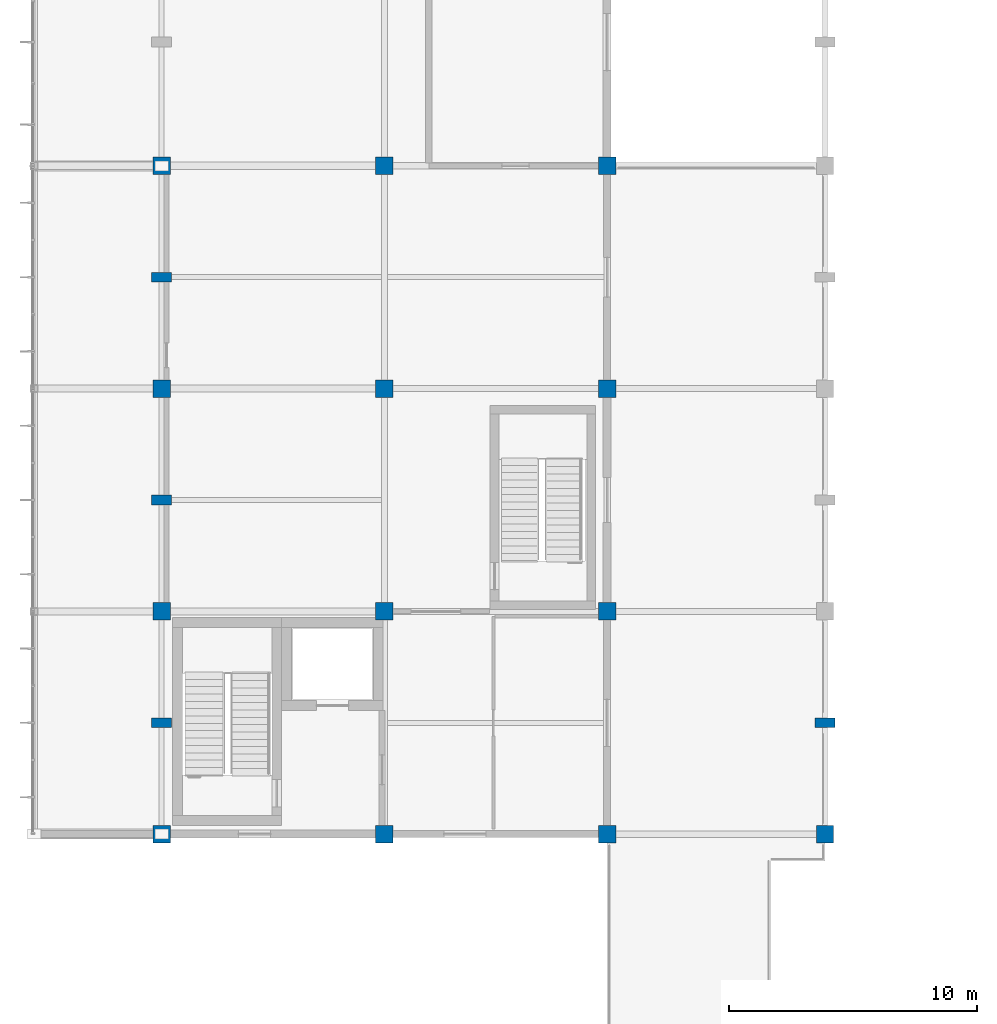
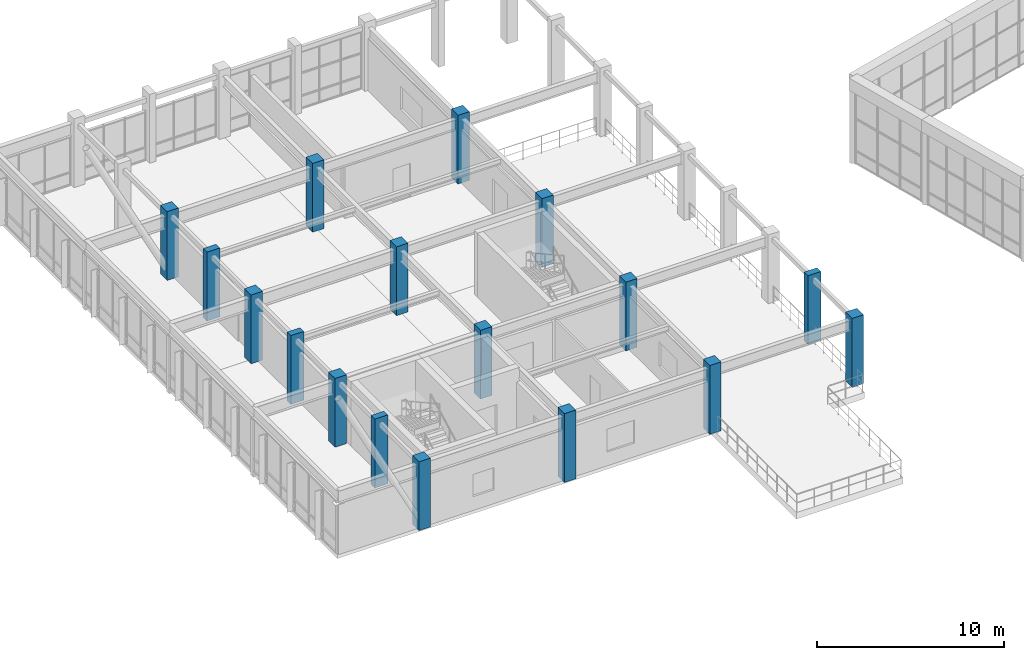
# One storey, part 3 of 55: 17 columns.
"""IFC4 building model written with IfcOpenShell, lengths in metres."""

from ifc_helpers import new_model, si_unit, direction, frame, origin, origin_2d, place, context, subcontext, project, spatial, rectangle, extrude, material, material_profile, profile_set, type_object, element, save


model = new_model("IFC4")

# Units and contexts
model_context = context("Model", 3, precision=1e-05, world=origin(), true_north=direction((0.0, 1.0)))
body_context = subcontext(model_context, "Body", "Model", "MODEL_VIEW")
ifc_project = project(units=[si_unit("LENGTHUNIT", "METRE"), si_unit("AREAUNIT", "SQUARE_METRE"), si_unit("VOLUMEUNIT", "CUBIC_METRE"), si_unit("PLANEANGLEUNIT", "RADIAN"), si_unit("MASSUNIT", "GRAM", prefix="KILO")], contexts=[model_context])

# Site, building, storey
site_placement = place(None, origin())
site = spatial("IfcSite", under=ifc_project, at=site_placement, CompositionType="ELEMENT")
building_placement = place(site_placement, origin())
building = spatial("IfcBuilding", under=site, at=building_placement, Name="Ventoquebrada Cableway Terminal", CompositionType="ELEMENT")
storey_placement = place(building_placement, frame((0.0, 0.0, 14.39990234375)))
storey = spatial("IfcBuildingStorey", under=building, at=storey_placement, Name="L03", CompositionType="ELEMENT", Elevation=14.39990234375)

# Columns
ifc_material = material(Name="Concrete C40/50", Category="concrete")
ifc_material_profile_1 = material_profile(ifc_material, rectangle(XDim=0.699951171875, YDim=0.699951171875, at=origin_2d()), Name="RC-COL-700X700")
ifc_profile_set_1 = profile_set([ifc_material_profile_1], Name="Concrete C40/50")
column_type_1 = type_object("IfcColumnType", Name="COL-RC04", PredefinedType="COLUMN", material=ifc_profile_set_1)
for number, where, z_axis, x_axis, name in (
    (1, (8.199951171875, 77.0, 0.0), (0.0, 0.0, 1.0), (1.0, 0.0, 0.0), "Structural column FC-0185"),
    (2, (8.199951171875, 86.0, 0.0), (0.0, 0.0, 1.0), (1.0, 0.0, 0.0), "Structural column FC-0192"),
    (3, (8.199951171875, 95.0, 0.0), (0.0, 0.0, 1.0), (1.0, 0.0, 0.0), "Structural column FC-0199"),
    (4, (8.199951171875, 104.0, 0.0), (0.0, 0.0, 1.0), (1.0, 0.0, 0.0), "Structural column FC-0206"),
    (5, (17.199951171875, 77.0, 0.0), (0.0, 0.0, 1.0), (1.0, 0.0, 0.0), "Structural column FC-0225"),
    (6, (17.199951171875, 86.0, 0.0), (0.0, 0.0, 1.0), (1.0, 0.0, 0.0), "Structural column FC-0232"),
    (7, (17.199951171875, 95.0, 0.0), (0.0, 0.0, 1.0), (1.0, 0.0, 0.0), "Structural column FC-0239"),
    (8, (17.199951171875, 104.0, 0.0), (0.0, 0.0, 1.0), (1.0, 0.0, 0.0), "Structural column FC-0246"),
    (9, (26.199951171875, 77.0, 0.0), (0.0, 0.0, 1.0), (1.0, 0.0, 0.0), "Structural column FC-0265"),
    (10, (26.199951171875, 86.0, 0.0), (0.0, 0.0, 1.0), (1.0, 0.0, 0.0), "Structural column FC-0272"),
    (11, (26.199951171875, 95.0, 0.0), (0.0, 0.0, 1.0), (1.0, 0.0, 0.0), "Structural column FC-0279"),
    (12, (26.199951171875, 104.0, 0.0), (0.0, 0.0, 1.0), (1.0, 0.0, 0.0), "Structural column FC-0286"),
    (13, (35.0, 77.0, 0.0), (0.0, 0.0, 1.0), (1.0, 0.0, 0.0), "Structural column FC-0305"),
):
    element("IfcColumn", number, at=place(storey_placement, frame(where, z_axis=z_axis, x_axis=x_axis)), inside=storey, type_object=column_type_1, Name=name, PredefinedType="COLUMN", context=body_context, shape_type="SweptSolid", body=[
        extrude(rectangle(XDim=0.699951171875, YDim=0.699951171875, at=origin_2d()), origin(), (0.0, 0.0, 1.0), 4.5),
    ])
ifc_material_profile_2 = material_profile(ifc_material, rectangle(XDim=0.39990234375, YDim=0.800048828125, at=origin_2d()), Name="RC-PIL-400X800")
ifc_profile_set_2 = profile_set([ifc_material_profile_2], Name="Concrete C40/50")
column_type_2 = type_object("IfcColumnType", Name="PIL-RC01", PredefinedType="PILASTER", material=ifc_profile_set_2)
for number, where, z_axis, x_axis, name in (
    (14, (8.199951171875, 81.5, 0.0), (0.0, 0.0, 1.0), (0.0, 1.0, 0.0), "Facade pilaster FPL-0358"),
    (15, (8.199951171875, 90.5, 0.0), (0.0, 0.0, 1.0), (0.0, 1.0, 0.0), "Facade pilaster FPL-0365"),
    (16, (8.199951171875, 99.5, 0.0), (0.0, 0.0, 1.0), (0.0, 1.0, 0.0), "Facade pilaster FPL-0372"),
    (17, (35.0, 81.5, 0.0), (0.0, 0.0, 1.0), (0.0, 1.0, 0.0), "Facade pilaster FPL-0388"),
):
    element("IfcColumn", number, at=place(storey_placement, frame(where, z_axis=z_axis, x_axis=x_axis)), inside=storey, type_object=column_type_2, Name=name, PredefinedType="PILASTER", context=body_context, shape_type="SweptSolid", body=[
        extrude(rectangle(XDim=0.39990234375, YDim=0.800048828125, at=origin_2d()), origin(), (0.0, 0.0, 1.0), 4.5),
    ])

save(model, "model.ifc")
